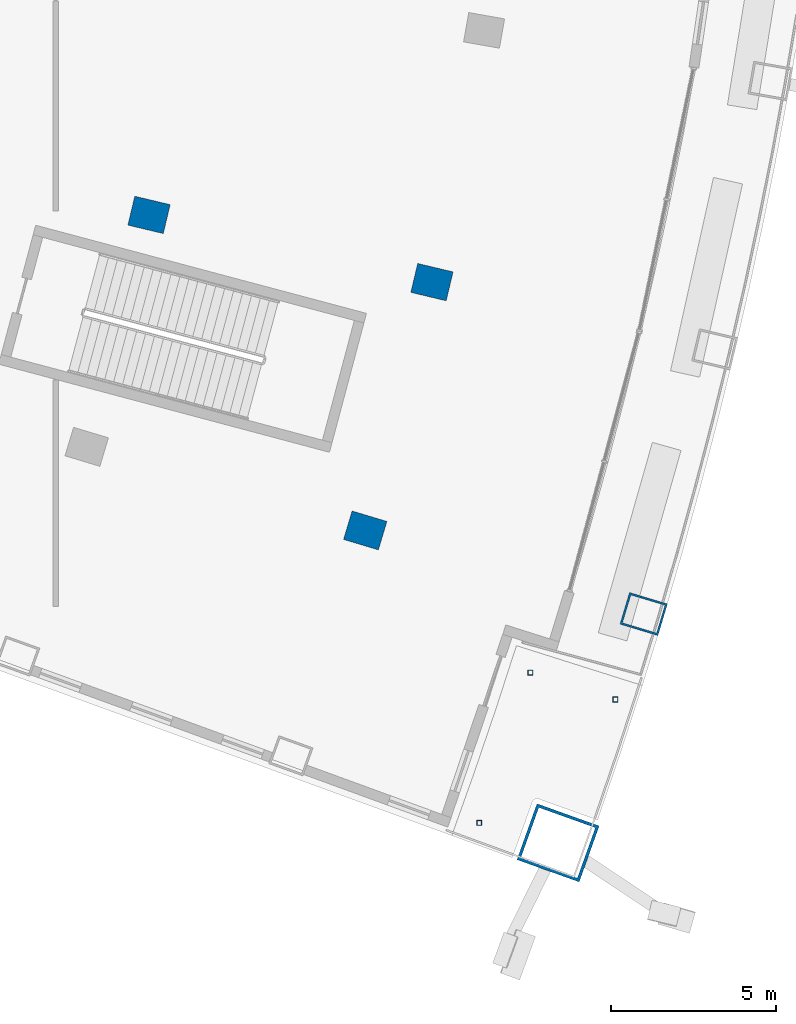
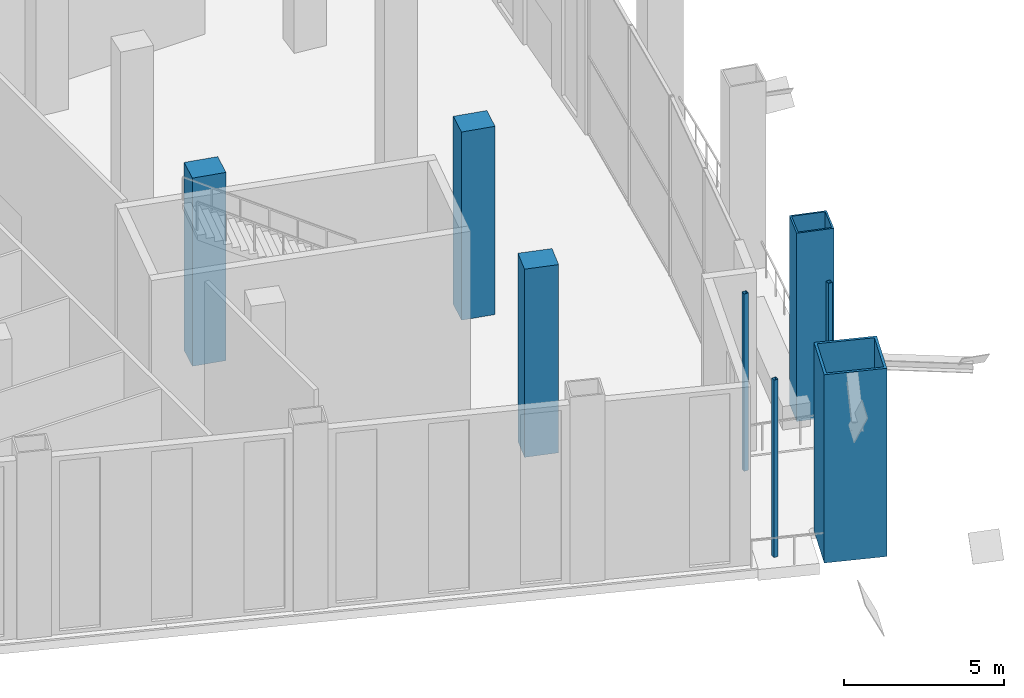
# One storey, part 4 of 27: 8 columns.
"""IFC4 building model written with IfcOpenShell, lengths in metres."""

from ifc_helpers import new_model, si_unit, direction, frame, origin, origin_2d, place, context, subcontext, project, spatial, rectangle, hollow_rectangle, extrude, material, material_profile, profile_set, type_object, element, save


model = new_model("IFC4")

# Units and contexts
model_context = context("Model", 3, precision=1e-05, world=origin(), true_north=direction((0.0, 1.0)))
body_context = subcontext(model_context, "Body", "Model", "MODEL_VIEW")
ifc_project = project(units=[si_unit("LENGTHUNIT", "METRE"), si_unit("AREAUNIT", "SQUARE_METRE"), si_unit("VOLUMEUNIT", "CUBIC_METRE"), si_unit("PLANEANGLEUNIT", "RADIAN"), si_unit("MASSUNIT", "GRAM", prefix="KILO")], contexts=[model_context])

# Site, building, storey
site_placement = place(None, origin())
site = spatial("IfcSite", under=ifc_project, at=site_placement, CompositionType="ELEMENT")
building_placement = place(site_placement, origin())
building = spatial("IfcBuilding", under=site, at=building_placement, Name="Alderwake Tower", CompositionType="ELEMENT")
storey_placement = place(building_placement, frame((0.0, 0.0, 75.199951171875)))
storey = spatial("IfcBuildingStorey", under=building, at=storey_placement, Name="L18", CompositionType="ELEMENT", Elevation=75.199951171875)

# Columns
ifc_material_1 = material(Name="Concrete C70/85", Category="concrete")
ifc_material_profile_1 = material_profile(ifc_material_1, rectangle(XDim=0.89990234375, YDim=1.10009765625, at=origin_2d()), Name="RC 1100X900")
ifc_profile_set_1 = profile_set([ifc_material_profile_1], Name="Concrete C70/85")
column_type_1 = type_object("IfcColumnType", Name="Interior column Z1", PredefinedType="COLUMN", material=ifc_profile_set_1)
for number, where, z_axis, x_axis, name in (
    (1, (47.76611328125, 22.64111328125, 0.0), (0.0, 0.0, 1.0), (0.287549418125, 0.957765802342, 0.0), "Column R02-C4"),
    (2, (41.223388671875, 32.189697265625, 0.0), (0.0, 0.0, 1.0), (0.231221547198, 0.972901123502, 0.0), "Column R03-C3"),
    (3, (49.784912109375, 30.155029296875, 0.0), (0.0, 0.0, 1.0), (0.231221547198, 0.972901123502, 0.0), "Column R03-C4"),
):
    element("IfcColumn", number, at=place(storey_placement, frame(where, z_axis=z_axis, x_axis=x_axis)), inside=storey, type_object=column_type_1, Name=name, PredefinedType="COLUMN", context=body_context, shape_type="SweptSolid", body=[
        extrude(rectangle(XDim=0.89990234375, YDim=1.10009765625, at=origin_2d()), origin(), (0.0, 0.0, 1.0), 7.199951171875),
    ])
ifc_material_2 = material(Name="Steel ASTM A500 Grade C", Category="steel")
ifc_material_profile_2 = material_profile(ifc_material_2, hollow_rectangle(XDim=0.15234375, YDim=0.15234375, WallThickness=0.0087890625, at=origin_2d()), Name="HSS6X6X3/8")
ifc_profile_set_2 = profile_set([ifc_material_profile_2], Name="Steel ASTM A500 Grade C")
column_type_2 = type_object("IfcColumnType", Name="Light post HSS6X6X3/8", PredefinedType="COLUMN", material=ifc_profile_set_2)
for number, where, z_axis, x_axis, name in (
    (4, (55.33837890625, 17.524658203125, 0.0), (0.0, 0.0, 1.0), (1.0, 0.0, 0.0), "Terrace post FS1"),
    (5, (51.217041015625, 13.7939453125, 0.0), (0.0, 0.0, 1.0), (1.0, 0.0, 0.0), "Terrace post FS2"),
    (6, (52.76416015625, 18.338623046875, 0.0), (0.0, 0.0, 1.0), (1.0, 0.0, 0.0), "Terrace post FS3"),
):
    element("IfcColumn", number, at=place(storey_placement, frame(where, z_axis=z_axis, x_axis=x_axis)), inside=storey, type_object=column_type_2, Name=name, PredefinedType="COLUMN", context=body_context, shape_type="SweptSolid", body=[
        extrude(hollow_rectangle(XDim=0.15234375, YDim=0.15234375, WallThickness=0.0087890625, at=origin_2d()), origin(), (0.0, 0.0, 1.0), 6.780029296875),
    ])
ifc_material_3 = material(Name="Steel ASTM A572 Grade 50 concrete filled C70/85", Category="concrete")
ifc_material_profile_3 = material_profile(ifc_material_3, hollow_rectangle(XDim=1.800048828125, YDim=2.0, WallThickness=0.090087890625, at=origin_2d()), Name="BOX 2000X1800X90")
ifc_profile_set_3 = profile_set([ifc_material_profile_3], Name="Steel ASTM A572 Grade 50 concrete filled C70/85")
column_type_3 = type_object("IfcColumnType", Name="Mega column Z1", PredefinedType="COLUMN", material=ifc_profile_set_3)
column_1_placement = place(storey_placement, frame((53.602294921875, 13.1875, 0.0), z_axis=(0.0, 0.0, 1.0), x_axis=(0.336945725149, 0.941524072079, 0.0)))
element("IfcColumn", 7, at=column_1_placement, inside=storey, type_object=column_type_3, Name="Column R01-C5", PredefinedType="COLUMN", context=body_context, shape_type="SweptSolid", body=[
    extrude(hollow_rectangle(XDim=1.800048828125, YDim=2.0, WallThickness=0.090087890625, at=origin_2d()), origin(), (0.0, 0.0, 1.0), 7.199951171875),
])
ifc_material_4 = material(Name="Steel ASTM A572 Grade 50 concrete filled C70/85", Category="concrete")
ifc_material_profile_4 = material_profile(ifc_material_4, hollow_rectangle(XDim=1.0, YDim=1.199951171875, WallThickness=0.06005859375, at=origin_2d()), Name="BOX 1200X1000X60")
ifc_profile_set_4 = profile_set([ifc_material_profile_4], Name="Steel ASTM A572 Grade 50 concrete filled C70/85")
column_type_4 = type_object("IfcColumnType", Name="Perimeter column Z1", PredefinedType="COLUMN", material=ifc_profile_set_4)
column_2_placement = place(storey_placement, frame((56.1943359375, 20.110595703125, 0.0), z_axis=(0.0, 0.0, 1.0), x_axis=(0.287549418125, 0.957765802342, 0.0)))
element("IfcColumn", 8, at=column_2_placement, inside=storey, type_object=column_type_4, Name="Column R02-C5", PredefinedType="COLUMN", context=body_context, shape_type="SweptSolid", body=[
    extrude(hollow_rectangle(XDim=1.0, YDim=1.199951171875, WallThickness=0.06005859375, at=origin_2d()), origin(), (0.0, 0.0, 1.0), 7.199951171875),
])

save(model, "model.ifc")
